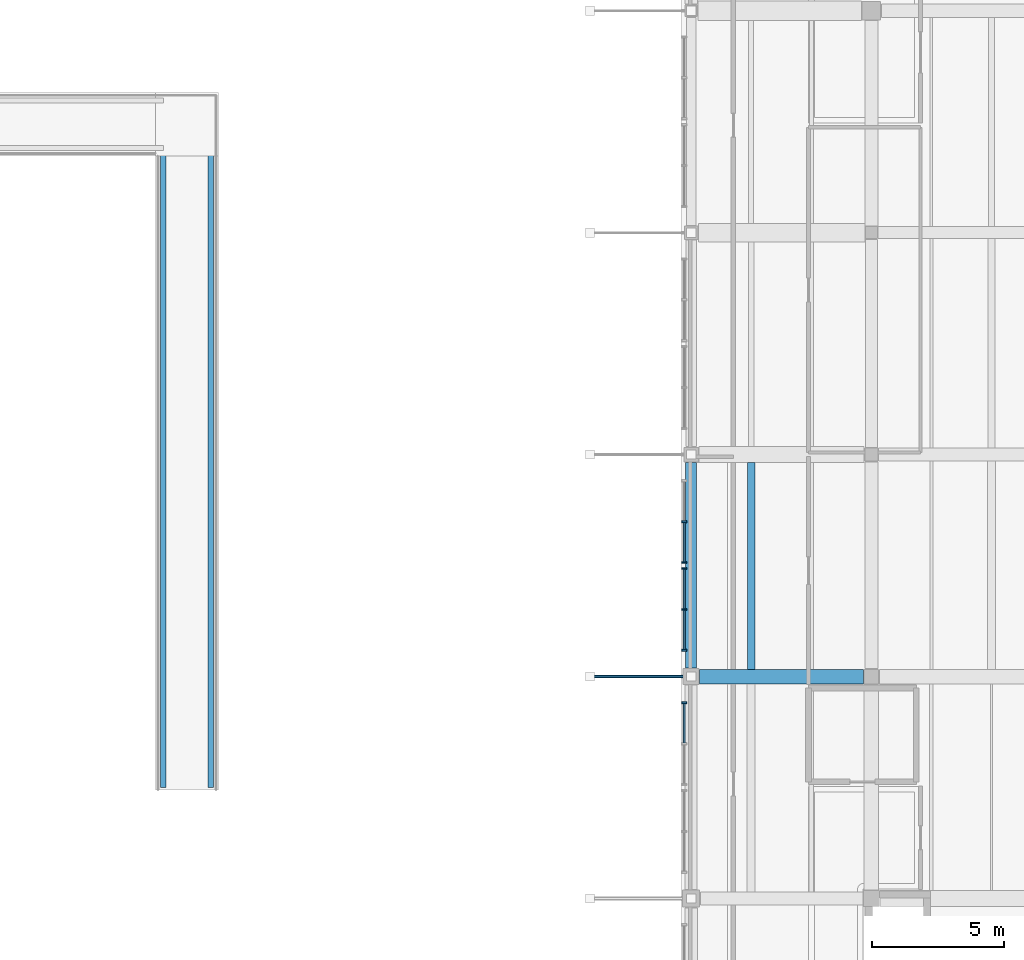
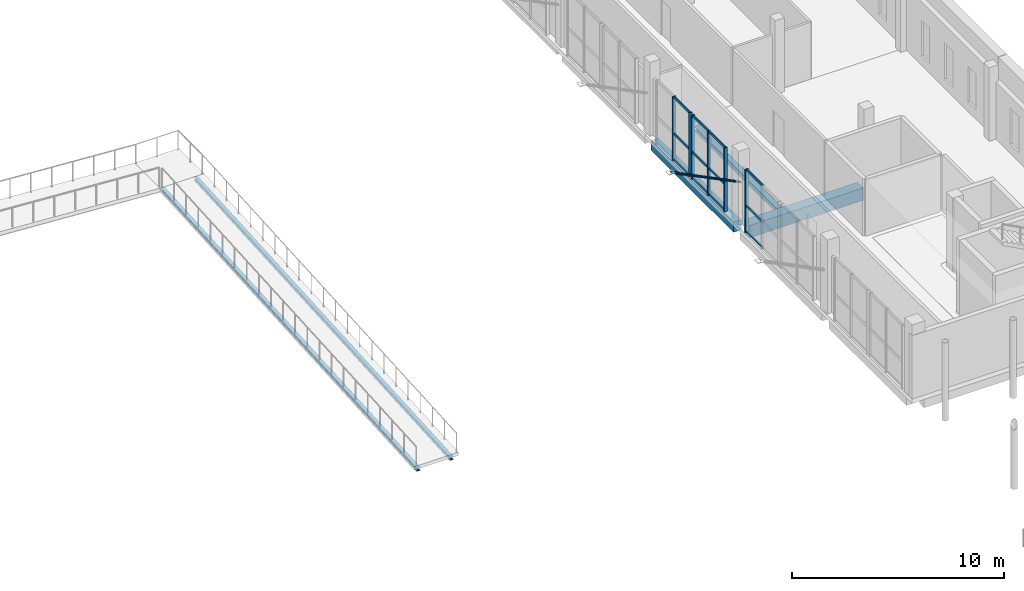
# One storey, part 32 of 77: 19 members, 5 beams, 3 elements without a shape of their own.
"""IFC4 building model written with IfcOpenShell, lengths in metres."""

import ifcopenshell
import ifcopenshell.guid

model = None  # the IFC model being written
_history = None  # IfcOwnerHistory: only IFC2X3 demands one
_inside = {}  # id of a spatial element -> (the spatial element, [elements in it])
_under = {}  # id of a project, library or spatial element -> (it, [spatial elements below it])
_declared = {}  # id of a project -> (the project, [libraries it declares])
_typed = {}  # id of a type object -> (the type object, [elements of that type])
_made_of = {}  # id of a material, layer set ... -> (it, [elements and type objects made of it])


def new_model(schema):
    """Start an empty IFC model of exactly this schema.

    Asked for "IFC4X3", IfcOpenShell would pick the latest addendum, in which some entities
    have other attributes; the version numbers below select the first issue.
    IFC2X3 requires an IfcOwnerHistory on every rooted entity: one is made here for all.
    """
    global model, _history
    if schema == "IFC4X3":
        model = ifcopenshell.file(schema_version=(4, 3, 0, 0))
    else:
        model = ifcopenshell.file(schema=schema)
    _inside.clear()
    _under.clear()
    _declared.clear()
    _typed.clear()
    _made_of.clear()
    _history = None
    if model.schema == "IFC2X3":
        org = make("IfcOrganization", Name="unknown")
        user = make(
            "IfcPersonAndOrganization",
            ThePerson=make("IfcPerson", FamilyName="unknown"),
            TheOrganization=org,
        )
        app = make(
            "IfcApplication",
            ApplicationDeveloper=org,
            Version="unknown",
            ApplicationFullName="unknown",
            ApplicationIdentifier="unknown",
        )
        _history = make(
            "IfcOwnerHistory",
            OwningUser=user,
            OwningApplication=app,
            ChangeAction="ADDED",
            CreationDate=0,
        )
    return model


def make(cls, **values):
    """One entity of the class cls with the attributes given. An attribute that is None is left unset."""
    return model.create_entity(
        cls, **{name: value for name, value in values.items() if value is not None}
    )


def rooted(cls, **values):
    """An entity with a GlobalId (a new one), such as an element, a storey or a relation."""
    return make(cls, GlobalId=ifcopenshell.guid.new(), OwnerHistory=_history, **values)


def si_unit(unit_type, name, prefix=None):
    """IfcSIUnit, for example si_unit("LENGTHUNIT", "METRE", prefix="MILLI")."""
    return make("IfcSIUnit", UnitType=unit_type, Prefix=prefix, Name=name)


def assignment(units):
    """IfcUnitAssignment: the units of a project."""
    return None if units is None else make("IfcUnitAssignment", Units=units)


def point(xyz):
    """IfcCartesianPoint."""
    return None if xyz is None else make("IfcCartesianPoint", Coordinates=xyz)


def direction(xyz):
    """IfcDirection."""
    return None if xyz is None else make("IfcDirection", DirectionRatios=xyz)


def frame(location, z_axis=None, x_axis=None):
    """IfcAxis2Placement3D, a coordinate frame: its origin and axes. An axis left out is left unset."""
    return make(
        "IfcAxis2Placement3D",
        Location=point(location),
        Axis=direction(z_axis),
        RefDirection=direction(x_axis),
    )


def frame_2d(location, x_axis=None):
    """IfcAxis2Placement2D, a coordinate frame in the plane: its origin and x axis."""
    return make(
        "IfcAxis2Placement2D", Location=point(location), RefDirection=direction(x_axis)
    )


def origin():
    """The frame at (0, 0, 0) with its axes left unset."""
    return frame((0.0, 0.0, 0.0))


def origin_2d():
    """The frame at (0, 0) in the plane with its x axis left unset."""
    return frame_2d((0.0, 0.0))


def place(relative_to, where):
    """IfcLocalPlacement: puts the frame where relative to a parent placement (None: the world)."""
    return make(
        "IfcLocalPlacement", PlacementRelTo=relative_to, RelativePlacement=where
    )


def context(
    kind, dimensions, precision=None, world=None, true_north=None, identifier=None
):
    """IfcGeometricRepresentationContext, for example the 3D "Model" context."""
    return make(
        "IfcGeometricRepresentationContext",
        ContextIdentifier=identifier,
        ContextType=kind,
        CoordinateSpaceDimension=dimensions,
        Precision=precision,
        WorldCoordinateSystem=world,
        TrueNorth=true_north,
    )


def subcontext(parent, identifier, kind, view, scale=None):
    """IfcGeometricRepresentationSubContext, for example "Body" below "Model"."""
    return make(
        "IfcGeometricRepresentationSubContext",
        ContextIdentifier=identifier,
        ContextType=kind,
        ParentContext=parent,
        TargetScale=scale,
        TargetView=view,
    )


def project(units=None, contexts=None):
    """IfcProject with its units and contexts."""
    return rooted(
        "IfcProject",
        Name="project",
        RepresentationContexts=contexts,
        UnitsInContext=assignment(units),
    )


def spatial(cls, under=None, at=None, **own):
    """A site, building, storey or space (cls), placed at a placement, below another one or the project."""
    s = rooted(cls, ObjectPlacement=at, **own)
    if under is not None:
        _under.setdefault(under.id(), (under, []))[1].append(s)
    return s


def profile(cls, at=None, kind="AREA", **sizes):
    """A parametric profile (cls). Its sizes go by their IFC names, for example OverallWidth=200.0."""
    return make(cls, ProfileType=kind, Position=at, **sizes)


def rectangle(**sizes):
    """IfcRectangleProfileDef."""
    return profile("IfcRectangleProfileDef", **sizes)


def hollow_circle(**sizes):
    """IfcCircleHollowProfileDef."""
    return profile("IfcCircleHollowProfileDef", **sizes)


def i_section(**sizes):
    """IfcIShapeProfileDef."""
    return profile("IfcIShapeProfileDef", **sizes)


def extrude(swept, where, along, depth):
    """IfcExtrudedAreaSolid: the profile swept, set in the frame where, extruded along a direction by depth."""
    return make(
        "IfcExtrudedAreaSolid",
        SweptArea=swept,
        Position=where,
        ExtrudedDirection=direction(along),
        Depth=depth,
    )


def shape(context_of_items, identifier, shape_type, items):
    """IfcShapeRepresentation: the items that make up one representation, for example the "Body"."""
    return make(
        "IfcShapeRepresentation",
        ContextOfItems=context_of_items,
        RepresentationIdentifier=identifier,
        RepresentationType=shape_type,
        Items=items,
    )


def material(Name=None, Category=None):
    """IfcMaterial."""
    return make("IfcMaterial", Name=Name, Category=Category)


def layer(
    of_material, thickness, ventilated=None, Name=None, Category=None, Priority=None
):
    """IfcMaterialLayer: one layer of a wall or slab, of a material (None: an air gap)."""
    return make(
        "IfcMaterialLayer",
        Material=of_material,
        LayerThickness=thickness,
        IsVentilated=ventilated,
        Name=Name,
        Category=Category,
        Priority=Priority,
    )


def layer_set(layers, Name=None):
    """IfcMaterialLayerSet."""
    return make("IfcMaterialLayerSet", MaterialLayers=layers, LayerSetName=Name)


def material_profile(
    of_material, cross_section, Name=None, Category=None, Priority=None
):
    """IfcMaterialProfile: a cross section and its material."""
    return make(
        "IfcMaterialProfile",
        Name=Name,
        Material=of_material,
        Profile=cross_section,
        Priority=Priority,
        Category=Category,
    )


def profile_set(profiles, Name=None, composite=None):
    """IfcMaterialProfileSet."""
    return make(
        "IfcMaterialProfileSet",
        Name=Name,
        MaterialProfiles=profiles,
        CompositeProfile=composite,
    )


def made_of(thing, what):
    """Note that an element or type object is made of a material, layer set ...; save() writes the relation."""
    if what is not None:
        _made_of.setdefault(what.id(), (what, []))[1].append(thing)
    return thing


def type_object(cls, material=None, **own):
    """A type object (cls), such as IfcWallType, which elements share."""
    return made_of(rooted(cls, **own), material)


def element(
    cls,
    number,
    at=None,
    inside=None,
    cuts=None,
    type_object=None,
    material=None,
    context=None,
    identifier="Body",
    shape_type=None,
    held_by="IfcProductDefinitionShape",
    body=None,
    shapes=None,
    **own,
):
    """One element of the class cls, such as IfcWall. Its Tag is "e" and its number.

    at: its placement. inside: the storey or other place that contains it. cuts: it is an
    opening in that element (IfcRelVoidsElement). A single representation is given by context,
    identifier, shape_type and body (its items); several are given by shapes. held_by: the class
    of the entity that holds the representations. save() writes the other relations.
    """
    e = rooted(cls, Tag="e%d" % number, ObjectPlacement=at, **own)
    if body is not None:
        shapes = [shape(context, identifier, shape_type, body)]
    if shapes is not None:
        e.Representation = make(held_by, Representations=shapes)
    if inside is not None:
        _inside.setdefault(inside.id(), (inside, []))[1].append(e)
    if cuts is not None:
        rooted(
            "IfcRelVoidsElement", RelatingBuildingElement=cuts, RelatedOpeningElement=e
        )
    if type_object is not None:
        _typed.setdefault(type_object.id(), (type_object, []))[1].append(e)
    return made_of(e, material)


def aggregate(whole, parts):
    """IfcRelAggregates: a whole, such as a stair, and the parts it consists of."""
    return rooted("IfcRelAggregates", RelatingObject=whole, RelatedObjects=parts)


def save(model, path):
    """Write the relations noted so far, then the file.

    IfcRelAggregates (storeys below a building ...), IfcRelContainedInSpatialStructure (elements
    in a storey), IfcRelDefinesByType, IfcRelAssociatesMaterial and IfcRelDeclares: one each for
    every whole, place, type object, material and project.
    """
    for whole, parts in _under.values():
        aggregate(whole, parts)
    for where, things in _inside.values():
        rooted(
            "IfcRelContainedInSpatialStructure",
            RelatedElements=things,
            RelatingStructure=where,
        )
    for kind, things in _typed.values():
        rooted("IfcRelDefinesByType", RelatedObjects=things, RelatingType=kind)
    for what, things in _made_of.values():
        rooted("IfcRelAssociatesMaterial", RelatedObjects=things, RelatingMaterial=what)
    for by, libraries in _declared.values():
        rooted("IfcRelDeclares", RelatingContext=by, RelatedDefinitions=libraries)
    model.write(path)


model = new_model("IFC4")

# Units and contexts
model_context = context("Model", 3, precision=1e-05, world=origin(), true_north=direction((0.0, 1.0)))
body_context = subcontext(model_context, "Body", "Model", "MODEL_VIEW")
ifc_project = project(units=[si_unit("LENGTHUNIT", "METRE"), si_unit("AREAUNIT", "SQUARE_METRE"), si_unit("VOLUMEUNIT", "CUBIC_METRE"), si_unit("PLANEANGLEUNIT", "RADIAN"), si_unit("MASSUNIT", "GRAM", prefix="KILO")], contexts=[model_context])

# Site, building, storey
site_placement = place(None, origin())
site = spatial("IfcSite", under=ifc_project, at=site_placement, CompositionType="ELEMENT")
building_placement = place(site_placement, origin())
building = spatial("IfcBuilding", under=site, at=building_placement, Name="Vardoun Plaza Health Centre", CompositionType="ELEMENT")
storey_placement = place(building_placement, origin())
storey = spatial("IfcBuildingStorey", under=building, at=storey_placement, Name="L00", CompositionType="ELEMENT", Elevation=0.0)

# Beams
ifc_material_1 = material(Name="Concrete C35/45", Category="concrete")
ifc_material_profile_1 = material_profile(ifc_material_1, rectangle(XDim=0.419921875, YDim=0.580078125, at=origin_2d()), Name="RC-BM 420x580")
ifc_profile_set_1 = profile_set([ifc_material_profile_1], Name="Concrete C35/45")
beam_type_1 = type_object("IfcBeamType", Name="B-10", PredefinedType="SPANDREL", material=ifc_profile_set_1)
beam_1_placement = place(storey_placement, frame((151.280029296875, 53.425048828125, -0.5400390625), z_axis=(0.0, 1.0, 0.0), x_axis=(-1.0, 0.0, 0.0)))
element("IfcBeam", 1, at=beam_1_placement, inside=storey, type_object=beam_type_1, Name="V6 L00 Beam B-V6-L00-Y17", PredefinedType="SPANDREL", context=body_context, shape_type="SweptSolid", body=[
    extrude(rectangle(XDim=0.419921875, YDim=0.580078125, at=origin_2d()), origin(), (0.0, 0.0, 1.0), 7.77490234375),
])
ifc_material_2 = material(Name="Concrete C40/50", Category="concrete")
ifc_material_profile_2 = material_profile(ifc_material_2, rectangle(XDim=0.550048828125, YDim=0.719970703125, at=origin_2d()), Name="RC-BM 550x720")
ifc_profile_set_2 = profile_set([ifc_material_profile_2], Name="Concrete C40/50")
beam_type_2 = type_object("IfcBeamType", Name="B-14", PredefinedType="BEAM", material=ifc_profile_set_2)
beam_2_placement = place(storey_placement, frame((151.60498046875, 53.10009765625, -0.610107421875), z_axis=(1.0, 0.0, 0.0), x_axis=(0.0, 1.0, 0.0)))
element("IfcBeam", 2, at=beam_2_placement, inside=storey, type_object=beam_type_2, Name="V6 L00 Beam B-V6-L00-X03", PredefinedType="BEAM", context=body_context, shape_type="SweptSolid", body=[
    extrude(rectangle(XDim=0.550048828125, YDim=0.719970703125, at=origin_2d()), origin(), (0.0, 0.0, 1.0), 6.195068359375),
])
ifc_material_3 = material(Name="Steel S355J2", Category="steel")
ifc_material_profile_3 = material_profile(ifc_material_3, i_section(OverallWidth=0.199951171875, OverallDepth=0.18994140625, WebThickness=0.006591796875, FlangeThickness=0.010009765625, FilletRadius=0.01806640625, at=origin_2d()), Name="HEA 200")
ifc_profile_set_3 = profile_set([ifc_material_profile_3], Name="Steel S355J2")
beam_type_3 = type_object("IfcBeamType", Name="SB-09", PredefinedType="BEAM", material=ifc_profile_set_3)
for number, where, z_axis, x_axis, name in (
    (3, (131.300048828125, 73.10009765625, -3.320068359375), (0.0, -0.998084534506, -0.061864868699), (1.0, 0.0, 0.0), "Ramp AR-03 Stringer W"),
    (4, (133.10009765625, 73.10009765625, -3.320068359375), (0.0, -0.998084534506, -0.061864868699), (1.0, 0.0, 0.0), "Ramp AR-03 Stringer E"),
):
    element("IfcBeam", number, at=place(storey_placement, frame(where, z_axis=z_axis, x_axis=x_axis)), inside=storey, type_object=beam_type_3, Name=name, PredefinedType="BEAM", context=body_context, shape_type="SweptSolid", body=[
        extrude(i_section(OverallWidth=0.199951171875, OverallDepth=0.18994140625, WebThickness=0.006591796875, FlangeThickness=0.010009765625, FilletRadius=0.01806640625, at=origin_2d()), origin(), (0.0, 0.0, 1.0), 24.246337890625),
    ])
ifc_material_4 = material(Name="Steel S355J2", Category="steel")
ifc_material_profile_4 = material_profile(ifc_material_4, i_section(OverallWidth=0.280029296875, OverallDepth=0.280029296875, WebThickness=0.010498046875, FlangeThickness=0.01806640625, FilletRadius=0.02392578125, at=origin_2d()), Name="HEB 280")
ifc_profile_set_4 = profile_set([ifc_material_profile_4], Name="Steel S355J2")
beam_type_4 = type_object("IfcBeamType", Name="SB-02", PredefinedType="BEAM", material=ifc_profile_set_4)
beam_3_placement = place(storey_placement, frame((153.552978515625, 53.375, -0.389892578125), z_axis=(0.0, 1.0, 0.0), x_axis=(-1.0, 0.0, 0.0)))
element("IfcBeam", 5, at=beam_3_placement, inside=storey, type_object=beam_type_4, Name="V6 L00 Secondary Floor Beam SJ-V6-L00-02", PredefinedType="BEAM", context=body_context, shape_type="SweptSolid", body=[
    extrude(i_section(OverallWidth=0.280029296875, OverallDepth=0.280029296875, WebThickness=0.010498046875, FlangeThickness=0.01806640625, FilletRadius=0.02392578125, at=origin_2d()), origin(), (0.0, 0.0, 1.0), 7.824951171875),
])

# Curtain wall, member
ifc_material_5 = material(Name="Aluminium Alloy EN AW-6063-T6 and Low-E Glass", Category="aluminium")
ifc_layer = layer(ifc_material_5, 0.179931640625)
ifc_layer_set = layer_set([ifc_layer], Name="Aluminium Alloy EN AW-6063-T6 and Low-E Glass")
curtain_wall_type = type_object("IfcCurtainWallType", Name="CW-01", PredefinedType="USERDEFINED", material=ifc_layer_set)
curtain_wall_1_placement = place(storey_placement, origin())
curtain_wall_1 = element("IfcCurtainWall", 6, at=curtain_wall_1_placement, inside=storey, type_object=curtain_wall_type, Name="Curtain Wall CW-V6-194", ObjectType="CONCOURSE_CURTAIN_WALL", PredefinedType="USERDEFINED")
ifc_material_6 = material(Name="Aluminium Alloy EN AW-6063-T6", Category="aluminium")
ifc_material_profile_5 = material_profile(ifc_material_6, rectangle(XDim=0.179931640625, YDim=0.06494140625, at=origin_2d()), Name="CWM 65x180")
ifc_profile_set_5 = profile_set([ifc_material_profile_5], Name="Aluminium Alloy EN AW-6063-T6")
member_type_1 = type_object("IfcMemberType", Name="CW-M2", PredefinedType="MULLION", material=ifc_profile_set_5)
member_1_placement = place(storey_placement, frame((151.02001953125, 52.107421875, 0.0), z_axis=(0.0, 0.0, 1.0), x_axis=(-1.0, 0.0, 0.0)))
member_1 = element("IfcMember", 7, at=member_1_placement, type_object=member_type_1, Name="CW-V6-194 mullion 3", PredefinedType="MULLION", context=body_context, shape_type="SweptSolid", body=[
    extrude(rectangle(XDim=0.179931640625, YDim=0.06494140625, at=origin_2d()), origin(), (0.0, 0.0, 1.0), 3.655029296875),
])

# Curtain wall, members
curtain_wall_2_placement = place(storey_placement, origin())
curtain_wall_2 = element("IfcCurtainWall", 8, at=curtain_wall_2_placement, inside=storey, type_object=curtain_wall_type, Name="Curtain Wall CW-V6-195", ObjectType="CONCOURSE_CURTAIN_WALL", PredefinedType="USERDEFINED")
member_2_placement = place(storey_placement, frame((151.02001953125, 54.092529296875, 0.0), z_axis=(0.0, 0.0, 1.0), x_axis=(-1.0, 0.0, 0.0)))
member_2 = element("IfcMember", 9, at=member_2_placement, type_object=member_type_1, Name="CW-V6-195 mullion 1", PredefinedType="MULLION", context=body_context, shape_type="SweptSolid", body=[
    extrude(rectangle(XDim=0.179931640625, YDim=0.06494140625, at=origin_2d()), origin(), (0.0, 0.0, 1.0), 3.68505859375),
])
member_3_placement = place(storey_placement, frame((151.02001953125, 55.639892578125, 0.0), z_axis=(0.0, 0.0, 1.0), x_axis=(-1.0, 0.0, 0.0)))
member_3 = element("IfcMember", 10, at=member_3_placement, type_object=member_type_1, Name="CW-V6-195 mullion 2", PredefinedType="MULLION", context=body_context, shape_type="SweptSolid", body=[
    extrude(rectangle(XDim=0.179931640625, YDim=0.06494140625, at=origin_2d()), origin(), (0.0, 0.0, 1.0), 3.68505859375),
])
member_4_placement = place(storey_placement, frame((151.02001953125, 57.1875, 0.0), z_axis=(0.0, 0.0, 1.0), x_axis=(-1.0, 0.0, 0.0)))
member_4 = element("IfcMember", 11, at=member_4_placement, type_object=member_type_1, Name="CW-V6-195 mullion 3", PredefinedType="MULLION", context=body_context, shape_type="SweptSolid", body=[
    extrude(rectangle(XDim=0.179931640625, YDim=0.06494140625, at=origin_2d()), origin(), (0.0, 0.0, 1.0), 3.68505859375),
])

curtain_wall_3_placement = place(storey_placement, origin())
curtain_wall_3 = element("IfcCurtainWall", 12, at=curtain_wall_3_placement, inside=storey, type_object=curtain_wall_type, Name="Curtain Wall CW-V6-196", ObjectType="CONCOURSE_CURTAIN_WALL", PredefinedType="USERDEFINED")
member_5_placement = place(storey_placement, frame((151.02001953125, 57.41259765625, 0.0), z_axis=(0.0, 0.0, 1.0), x_axis=(-1.0, 0.0, 0.0)))
member_5 = element("IfcMember", 13, at=member_5_placement, type_object=member_type_1, Name="CW-V6-196 mullion 1", PredefinedType="MULLION", context=body_context, shape_type="SweptSolid", body=[
    extrude(rectangle(XDim=0.179931640625, YDim=0.06494140625, at=origin_2d()), origin(), (0.0, 0.0, 1.0), 3.68505859375),
])
member_6_placement = place(storey_placement, frame((151.02001953125, 58.9599609375, 0.0), z_axis=(0.0, 0.0, 1.0), x_axis=(-1.0, 0.0, 0.0)))
member_6 = element("IfcMember", 14, at=member_6_placement, type_object=member_type_1, Name="CW-V6-196 mullion 2", PredefinedType="MULLION", context=body_context, shape_type="SweptSolid", body=[
    extrude(rectangle(XDim=0.179931640625, YDim=0.06494140625, at=origin_2d()), origin(), (0.0, 0.0, 1.0), 3.68505859375),
])

# Member
ifc_material_7 = material(Name="Aluminium Alloy EN AW-6063-T6", Category="aluminium")
ifc_material_profile_6 = material_profile(ifc_material_7, rectangle(XDim=0.06494140625, YDim=0.139892578125, at=origin_2d()), Name="CWT 65x140")
ifc_profile_set_6 = profile_set([ifc_material_profile_6], Name="Aluminium Alloy EN AW-6063-T6")
member_type_2 = type_object("IfcMemberType", Name="CW-T2", PredefinedType="USERDEFINED", material=ifc_profile_set_6)
member_7_placement = place(storey_placement, frame((151.02001953125, 50.592529296875, 0.032470703125), z_axis=(0.0, 1.0, 0.0), x_axis=(-1.0, 0.0, 0.0)))
member_7 = element("IfcMember", 15, at=member_7_placement, type_object=member_type_2, Name="CW-V6-194 transom 2.1", ObjectType="TRANSOM", PredefinedType="USERDEFINED", context=body_context, shape_type="SweptSolid", body=[
    extrude(rectangle(XDim=0.06494140625, YDim=0.139892578125, at=origin_2d()), origin(), (0.0, 0.0, 1.0), 1.482421875),
])

member_8_placement = place(storey_placement, frame((151.02001953125, 50.592529296875, 1.53515625), z_axis=(0.0, 1.0, 0.0), x_axis=(-1.0, 0.0, 0.0)))
member_8 = element("IfcMember", 16, at=member_8_placement, type_object=member_type_2, Name="CW-V6-194 transom 2.2", ObjectType="TRANSOM", PredefinedType="USERDEFINED", context=body_context, shape_type="SweptSolid", body=[
    extrude(rectangle(XDim=0.06494140625, YDim=0.139892578125, at=origin_2d()), origin(), (0.0, 0.0, 1.0), 1.482421875),
])

member_9_placement = place(storey_placement, frame((151.02001953125, 50.592529296875, 3.62255859375), z_axis=(0.0, 1.0, 0.0), x_axis=(-1.0, 0.0, 0.0)))
member_9 = element("IfcMember", 17, at=member_9_placement, type_object=member_type_2, Name="CW-V6-194 transom 2.3", ObjectType="TRANSOM", PredefinedType="USERDEFINED", context=body_context, shape_type="SweptSolid", body=[
    extrude(rectangle(XDim=0.06494140625, YDim=0.139892578125, at=origin_2d()), origin(), (0.0, 0.0, 1.0), 1.482421875),
])

aggregate(curtain_wall_1, [member_1, member_7, member_8, member_9])

member_10_placement = place(storey_placement, frame((151.02001953125, 54.125, 0.032470703125), z_axis=(0.0, 1.0, 0.0), x_axis=(-1.0, 0.0, 0.0)))
member_10 = element("IfcMember", 18, at=member_10_placement, type_object=member_type_2, Name="CW-V6-195 transom 1.1", ObjectType="TRANSOM", PredefinedType="USERDEFINED", context=body_context, shape_type="SweptSolid", body=[
    extrude(rectangle(XDim=0.06494140625, YDim=0.139892578125, at=origin_2d()), origin(), (0.0, 0.0, 1.0), 1.482421875),
])

member_11_placement = place(storey_placement, frame((151.02001953125, 54.125, 1.547607421875), z_axis=(0.0, 1.0, 0.0), x_axis=(-1.0, 0.0, 0.0)))
member_11 = element("IfcMember", 19, at=member_11_placement, type_object=member_type_2, Name="CW-V6-195 transom 1.2", ObjectType="TRANSOM", PredefinedType="USERDEFINED", context=body_context, shape_type="SweptSolid", body=[
    extrude(rectangle(XDim=0.06494140625, YDim=0.139892578125, at=origin_2d()), origin(), (0.0, 0.0, 1.0), 1.482421875),
])

member_12_placement = place(storey_placement, frame((151.02001953125, 54.125, 3.652587890625), z_axis=(0.0, 1.0, 0.0), x_axis=(-1.0, 0.0, 0.0)))
member_12 = element("IfcMember", 20, at=member_12_placement, type_object=member_type_2, Name="CW-V6-195 transom 1.3", ObjectType="TRANSOM", PredefinedType="USERDEFINED", context=body_context, shape_type="SweptSolid", body=[
    extrude(rectangle(XDim=0.06494140625, YDim=0.139892578125, at=origin_2d()), origin(), (0.0, 0.0, 1.0), 1.482421875),
])

member_13_placement = place(storey_placement, frame((151.02001953125, 55.672607421875, 0.032470703125), z_axis=(0.0, 1.0, 0.0), x_axis=(-1.0, 0.0, 0.0)))
member_13 = element("IfcMember", 21, at=member_13_placement, type_object=member_type_2, Name="CW-V6-195 transom 2.1", ObjectType="TRANSOM", PredefinedType="USERDEFINED", context=body_context, shape_type="SweptSolid", body=[
    extrude(rectangle(XDim=0.06494140625, YDim=0.139892578125, at=origin_2d()), origin(), (0.0, 0.0, 1.0), 1.482421875),
])

member_14_placement = place(storey_placement, frame((151.02001953125, 55.672607421875, 1.547607421875), z_axis=(0.0, 1.0, 0.0), x_axis=(-1.0, 0.0, 0.0)))
member_14 = element("IfcMember", 22, at=member_14_placement, type_object=member_type_2, Name="CW-V6-195 transom 2.2", ObjectType="TRANSOM", PredefinedType="USERDEFINED", context=body_context, shape_type="SweptSolid", body=[
    extrude(rectangle(XDim=0.06494140625, YDim=0.139892578125, at=origin_2d()), origin(), (0.0, 0.0, 1.0), 1.482421875),
])

member_15_placement = place(storey_placement, frame((151.02001953125, 55.672607421875, 3.652587890625), z_axis=(0.0, 1.0, 0.0), x_axis=(-1.0, 0.0, 0.0)))
member_15 = element("IfcMember", 23, at=member_15_placement, type_object=member_type_2, Name="CW-V6-195 transom 2.3", ObjectType="TRANSOM", PredefinedType="USERDEFINED", context=body_context, shape_type="SweptSolid", body=[
    extrude(rectangle(XDim=0.06494140625, YDim=0.139892578125, at=origin_2d()), origin(), (0.0, 0.0, 1.0), 1.482421875),
])

aggregate(curtain_wall_2, [member_2, member_3, member_4, member_10, member_11, member_12, member_13, member_14, member_15])

member_16_placement = place(storey_placement, frame((151.02001953125, 57.445068359375, 0.032470703125), z_axis=(0.0, 1.0, 0.0), x_axis=(-1.0, 0.0, 0.0)))
member_16 = element("IfcMember", 24, at=member_16_placement, type_object=member_type_2, Name="CW-V6-196 transom 1.1", ObjectType="TRANSOM", PredefinedType="USERDEFINED", context=body_context, shape_type="SweptSolid", body=[
    extrude(rectangle(XDim=0.06494140625, YDim=0.139892578125, at=origin_2d()), origin(), (0.0, 0.0, 1.0), 1.482421875),
])

member_17_placement = place(storey_placement, frame((151.02001953125, 57.445068359375, 1.547607421875), z_axis=(0.0, 1.0, 0.0), x_axis=(-1.0, 0.0, 0.0)))
member_17 = element("IfcMember", 25, at=member_17_placement, type_object=member_type_2, Name="CW-V6-196 transom 1.2", ObjectType="TRANSOM", PredefinedType="USERDEFINED", context=body_context, shape_type="SweptSolid", body=[
    extrude(rectangle(XDim=0.06494140625, YDim=0.139892578125, at=origin_2d()), origin(), (0.0, 0.0, 1.0), 1.482421875),
])

member_18_placement = place(storey_placement, frame((151.02001953125, 57.445068359375, 3.652587890625), z_axis=(0.0, 1.0, 0.0), x_axis=(-1.0, 0.0, 0.0)))
member_18 = element("IfcMember", 26, at=member_18_placement, type_object=member_type_2, Name="CW-V6-196 transom 1.3", ObjectType="TRANSOM", PredefinedType="USERDEFINED", context=body_context, shape_type="SweptSolid", body=[
    extrude(rectangle(XDim=0.06494140625, YDim=0.139892578125, at=origin_2d()), origin(), (0.0, 0.0, 1.0), 1.482421875),
])

aggregate(curtain_wall_3, [member_5, member_6, member_16, member_17, member_18])

ifc_material_8 = material(Name="Steel S355J2H", Category="steel")
ifc_material_profile_7 = material_profile(ifc_material_8, hollow_circle(Radius=0.0634765625, WallThickness=0.00634765625, at=origin_2d()), Name="CHS 127.0x6.3")
ifc_profile_set_7 = profile_set([ifc_material_profile_7], Name="Steel S355J2H")
member_type_3 = type_object("IfcMemberType", Name="CS-02", PredefinedType="STRUT", material=ifc_profile_set_7)
member_19_placement = place(storey_placement, frame((151.280029296875, 53.10009765625, 2.199951171875), z_axis=(-0.895816138957, 0.0, 0.444424847623), x_axis=(0.0, -1.0, 0.0)))
element("IfcMember", 27, at=member_19_placement, inside=storey, type_object=member_type_3, Name="Forecourt Canopy Raking Steel Strut 2", PredefinedType="STRUT", context=body_context, shape_type="SweptSolid", body=[
    extrude(hollow_circle(Radius=0.0634765625, WallThickness=0.00634765625, at=origin_2d()), origin(), (0.0, 0.0, 1.0), 4.275634765625),
])

save(model, "model.ifc")
